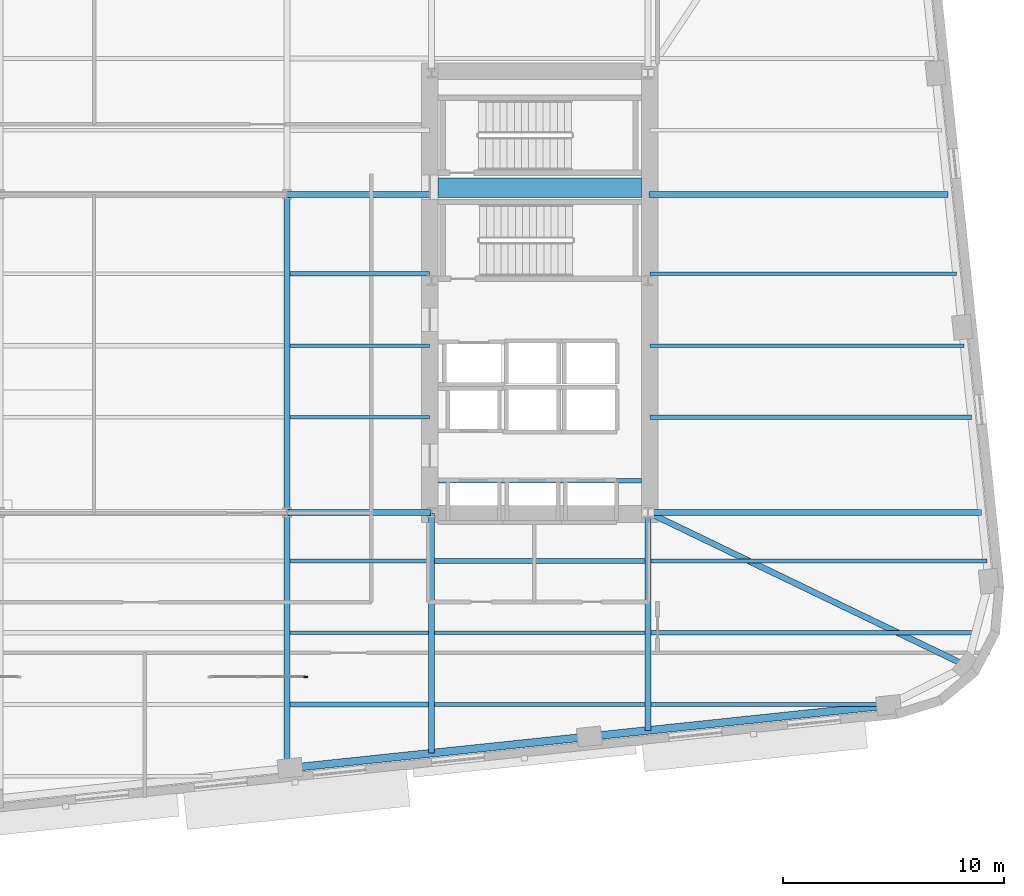
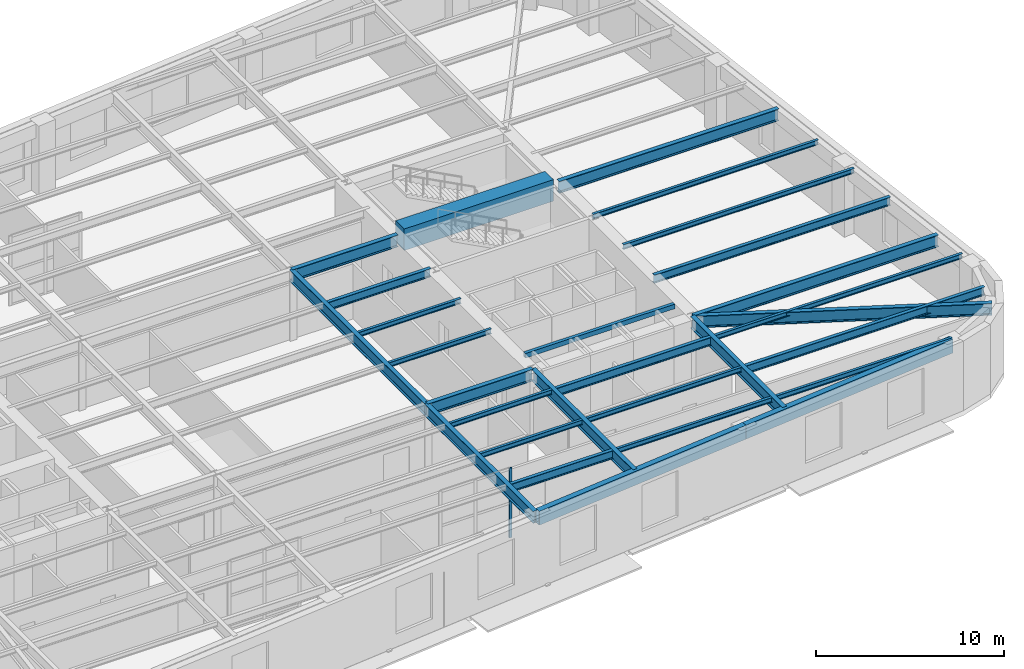
# One storey, part 4 of 14: 28 beams, 1 member, 1 element without a shape of its own.
"""IFC4 building model written with IfcOpenShell, lengths in metres."""

from ifc_helpers import new_model, si_unit, direction, frame, origin, origin_2d, place, context, subcontext, project, spatial, rectangle, hollow_rectangle, i_section, extrude, material, material_profile, profile_set, type_object, element, aggregate, save


model = new_model("IFC4")

# Units and contexts
model_context = context("Model", 3, precision=1e-05, world=origin(), true_north=direction((0.0, 1.0)))
body_context = subcontext(model_context, "Body", "Model", "MODEL_VIEW")
ifc_project = project(units=[si_unit("LENGTHUNIT", "METRE"), si_unit("AREAUNIT", "SQUARE_METRE"), si_unit("VOLUMEUNIT", "CUBIC_METRE"), si_unit("PLANEANGLEUNIT", "RADIAN"), si_unit("MASSUNIT", "GRAM", prefix="KILO")], contexts=[model_context])

# Site, building, storey
site_placement = place(None, origin())
site = spatial("IfcSite", under=ifc_project, at=site_placement, CompositionType="ELEMENT")
building_placement = place(site_placement, origin())
building = spatial("IfcBuilding", under=site, at=building_placement, Name="Kolvaren Arena Tower", CompositionType="ELEMENT")
storey_placement = place(building_placement, frame((0.0, 0.0, 125.949951171875)))
storey = spatial("IfcBuildingStorey", under=building, at=storey_placement, Name="L29", CompositionType="ELEMENT", Elevation=125.949951171875)

# Beams
ifc_material_1 = material(Name="Steel CSA G40.21 350W", Category="steel")
ifc_material_profile_1 = material_profile(ifc_material_1, i_section(OverallWidth=0.2119140625, OverallDepth=0.54296875, WebThickness=0.01318359375, FlangeThickness=0.0244140625, FilletRadius=0.013916015625, at=origin_2d()), Name="W530x150")
ifc_profile_set_1 = profile_set([ifc_material_profile_1], Name="Steel CSA G40.21 350W")
beam_type_1 = type_object("IfcBeamType", Name="BEAM-F1", PredefinedType="BEAM", material=ifc_profile_set_1)
beam_1_placement = place(storey_placement, frame((44.135009765625, 10.75, 4.258544921875), z_axis=(1.0, 0.0, 0.0), x_axis=(0.0, 1.0, 0.0)))
element("IfcBeam", 1, at=beam_1_placement, inside=storey, type_object=beam_type_1, Name="Composite Floor Beam (L29)", PredefinedType="BEAM", context=body_context, shape_type="SweptSolid", body=[
    extrude(i_section(OverallWidth=0.2119140625, OverallDepth=0.54296875, WebThickness=0.01318359375, FlangeThickness=0.0244140625, FilletRadius=0.013916015625, at=origin_2d()), origin(), (0.0, 0.0, 1.0), 6.280029296875),
])
beam_2_placement = place(storey_placement, frame((60.485107421875, 14.0, 4.258544921875), z_axis=(1.0, 0.0, 0.0), x_axis=(0.0, 1.0, 0.0)))
element("IfcBeam", 2, at=beam_2_placement, inside=storey, type_object=beam_type_1, Name="Composite Floor Beam (L29)", PredefinedType="BEAM", context=body_context, shape_type="SweptSolid", body=[
    extrude(i_section(OverallWidth=0.2119140625, OverallDepth=0.54296875, WebThickness=0.01318359375, FlangeThickness=0.0244140625, FilletRadius=0.013916015625, at=origin_2d()), origin(), (0.0, 0.0, 1.0), 14.69677734375),
])
beam_3_placement = place(storey_placement, frame((50.68505859375, 17.25, 4.258544921875), z_axis=(1.0, 0.0, 0.0), x_axis=(0.0, 1.0, 0.0)))
element("IfcBeam", 3, at=beam_3_placement, inside=storey, type_object=beam_type_1, Name="Composite Floor Beam (L29)", PredefinedType="BEAM", context=body_context, shape_type="SweptSolid", body=[
    extrude(i_section(OverallWidth=0.2119140625, OverallDepth=0.54296875, WebThickness=0.01318359375, FlangeThickness=0.0244140625, FilletRadius=0.013916015625, at=origin_2d()), origin(), (0.0, 0.0, 1.0), 9.530029296875),
])
beam_4_placement = place(storey_placement, frame((60.445068359375, 23.75, 4.258544921875), z_axis=(1.0, 0.0, 0.0), x_axis=(0.0, 1.0, 0.0)))
element("IfcBeam", 4, at=beam_4_placement, inside=storey, type_object=beam_type_1, Name="Composite Floor Beam (L29)", PredefinedType="BEAM", context=body_context, shape_type="SweptSolid", body=[
    extrude(i_section(OverallWidth=0.2119140625, OverallDepth=0.54296875, WebThickness=0.01318359375, FlangeThickness=0.0244140625, FilletRadius=0.013916015625, at=origin_2d()), origin(), (0.0, 0.0, 1.0), 14.56103515625),
])
beam_5_placement = place(storey_placement, frame((44.135009765625, 30.25, 4.258544921875), z_axis=(1.0, 0.0, 0.0), x_axis=(0.0, 1.0, 0.0)))
element("IfcBeam", 5, at=beam_5_placement, inside=storey, type_object=beam_type_1, Name="Composite Floor Beam (L29)", PredefinedType="BEAM", context=body_context, shape_type="SweptSolid", body=[
    extrude(i_section(OverallWidth=0.2119140625, OverallDepth=0.54296875, WebThickness=0.01318359375, FlangeThickness=0.0244140625, FilletRadius=0.013916015625, at=origin_2d()), origin(), (0.0, 0.0, 1.0), 6.320068359375),
])
ifc_material_2 = material(Name="Concrete 75 MPa", Category="concrete")
ifc_material_profile_2 = material_profile(ifc_material_2, rectangle(XDim=0.89990234375, YDim=1.39990234375, at=origin_2d()), Name="RC-900x1400")
ifc_profile_set_2 = profile_set([ifc_material_profile_2], Name="Concrete 75 MPa")
beam_type_2 = type_object("IfcBeamType", Name="CB-CORE-1", PredefinedType="BEAM", material=ifc_profile_set_2)
beam_6_placement = place(storey_placement, frame((50.85009765625, 34.14990234375, 4.10009765625), z_axis=(1.0, 0.0, 0.0), x_axis=(0.0, 1.0, 0.0)))
element("IfcBeam", 6, at=beam_6_placement, inside=storey, type_object=beam_type_2, Name="East Core Coupling Beam (L29)", PredefinedType="BEAM", context=body_context, shape_type="SweptSolid", body=[
    extrude(rectangle(XDim=0.89990234375, YDim=1.39990234375, at=origin_2d()), origin(), (0.0, 0.0, 1.0), 9.199951171875),
])

# Curtain wall, member
ifc_material_3 = material(Name="Anodised aluminium unitised curtain wall", Category="aluminium")
curtain_wall_type = type_object("IfcCurtainWallType", Name="CW-SYS-03", PredefinedType="USERDEFINED", material=ifc_material_3)
curtain_wall_placement = place(storey_placement, origin())
curtain_wall = element("IfcCurtainWall", 7, at=curtain_wall_placement, inside=storey, type_object=curtain_wall_type, Name="Sky Lobby Feature Curtain Wall (L29)", ObjectType="UNITISED CURTAIN WALL", PredefinedType="USERDEFINED")
ifc_material_4 = material(Name="Anodised aluminium 6063-T6", Category="aluminium")
ifc_material_profile_3 = material_profile(ifc_material_4, rectangle(XDim=0.080078125, YDim=0.179931640625, at=origin_2d()), Name="ALU-80x180")
ifc_profile_set_3 = profile_set([ifc_material_profile_3], Name="Anodised aluminium 6063-T6")
member_type = type_object("IfcMemberType", Name="CWM-STD", PredefinedType="MULLION", material=ifc_profile_set_3)
member_placement = place(storey_placement, frame((44.860107421875, 12.0, 0.0), z_axis=(0.0, 0.0, 1.0), x_axis=(0.0, 1.0, 0.0)))
member = element("IfcMember", 8, at=member_placement, type_object=member_type, Name="CW3 mullion 3", PredefinedType="MULLION", context=body_context, shape_type="SweptSolid", body=[
    extrude(rectangle(XDim=0.080078125, YDim=0.179931640625, at=origin_2d()), origin(), (0.0, 0.0, 1.0), 4.530029296875),
])
aggregate(curtain_wall, [member])

# Beams
ifc_material_profile_4 = material_profile(ifc_material_1, i_section(OverallWidth=0.27001953125, OverallDepth=0.77294921875, WebThickness=0.019287109375, FlangeThickness=0.033447265625, FilletRadius=0.01806640625, at=origin_2d()), Name="W760x257")
ifc_profile_set_4 = profile_set([ifc_material_profile_4], Name="Steel CSA G40.21 350W")
beam_type_3 = type_object("IfcBeamType", Name="GIRD-T1", PredefinedType="BEAM", material=ifc_profile_set_4)
beam_7_placement = place(storey_placement, frame((74.790283203125, 12.49267578125, 4.1435546875), z_axis=(-0.900889626424, 0.43404824732, 0.0), x_axis=(-0.43404824732, -0.900889626424, 0.0)))
element("IfcBeam", 9, at=beam_7_placement, inside=storey, type_object=beam_type_3, Name="Corner Diagonal Tie Girder (L29)", PredefinedType="BEAM", context=body_context, shape_type="SweptSolid", body=[
    extrude(i_section(OverallWidth=0.27001953125, OverallDepth=0.77294921875, WebThickness=0.019287109375, FlangeThickness=0.033447265625, FilletRadius=0.01806640625, at=origin_2d()), origin(), (0.0, 0.0, 1.0), 16.02880859375),
])
beam_8_placement = place(storey_placement, frame((44.0, 19.449951171875, 4.1435546875), z_axis=(1.0, 0.0, 0.0), x_axis=(0.0, 1.0, 0.0)))
element("IfcBeam", 10, at=beam_8_placement, inside=storey, type_object=beam_type_3, Name="Primary Floor Girder (L29)", PredefinedType="BEAM", context=body_context, shape_type="SweptSolid", body=[
    extrude(i_section(OverallWidth=0.27001953125, OverallDepth=0.77294921875, WebThickness=0.019287109375, FlangeThickness=0.033447265625, FilletRadius=0.01806640625, at=origin_2d()), origin(), (0.0, 0.0, 1.0), 6.4951171875),
])
beam_9_placement = place(storey_placement, frame((60.405029296875, 19.449951171875, 4.1435546875), z_axis=(1.0, 0.0, 0.0), x_axis=(0.0, 1.0, 0.0)))
element("IfcBeam", 11, at=beam_9_placement, inside=storey, type_object=beam_type_3, Name="Primary Floor Girder (L29)", PredefinedType="BEAM", context=body_context, shape_type="SweptSolid", body=[
    extrude(i_section(OverallWidth=0.27001953125, OverallDepth=0.77294921875, WebThickness=0.019287109375, FlangeThickness=0.033447265625, FilletRadius=0.01806640625, at=origin_2d()), origin(), (0.0, 0.0, 1.0), 15.052978515625),
])
beam_10_placement = place(storey_placement, frame((44.0, 33.85009765625, 4.1435546875), z_axis=(1.0, 0.0, 0.0), x_axis=(0.0, 1.0, 0.0)))
element("IfcBeam", 12, at=beam_10_placement, inside=storey, type_object=beam_type_3, Name="Primary Floor Girder (L29)", PredefinedType="BEAM", context=body_context, shape_type="SweptSolid", body=[
    extrude(i_section(OverallWidth=0.27001953125, OverallDepth=0.77294921875, WebThickness=0.019287109375, FlangeThickness=0.033447265625, FilletRadius=0.01806640625, at=origin_2d()), origin(), (0.0, 0.0, 1.0), 6.4951171875),
])
beam_11_placement = place(storey_placement, frame((60.405029296875, 33.85009765625, 4.1435546875), z_axis=(1.0, 0.0, 0.0), x_axis=(0.0, 1.0, 0.0)))
element("IfcBeam", 13, at=beam_11_placement, inside=storey, type_object=beam_type_3, Name="Primary Floor Girder (L29)", PredefinedType="BEAM", context=body_context, shape_type="SweptSolid", body=[
    extrude(i_section(OverallWidth=0.27001953125, OverallDepth=0.77294921875, WebThickness=0.019287109375, FlangeThickness=0.033447265625, FilletRadius=0.01806640625, at=origin_2d()), origin(), (0.0, 0.0, 1.0), 13.53955078125),
])
beam_12_placement = place(storey_placement, frame((44.0, 7.857666015625, 4.1435546875), z_axis=(0.0, 1.0, 0.0), x_axis=(-1.0, 0.0, 0.0)))
element("IfcBeam", 14, at=beam_12_placement, inside=storey, type_object=beam_type_3, Name="Primary Floor Girder (L29)", PredefinedType="BEAM", context=body_context, shape_type="SweptSolid", body=[
    extrude(i_section(OverallWidth=0.27001953125, OverallDepth=0.77294921875, WebThickness=0.019287109375, FlangeThickness=0.033447265625, FilletRadius=0.01806640625, at=origin_2d()), origin(), (0.0, 0.0, 1.0), 11.59228515625),
])
beam_13_placement = place(storey_placement, frame((44.0, 19.449951171875, 4.1435546875), z_axis=(0.0, 1.0, 0.0), x_axis=(-1.0, 0.0, 0.0)))
element("IfcBeam", 15, at=beam_13_placement, inside=storey, type_object=beam_type_3, Name="Primary Floor Girder (L29)", PredefinedType="BEAM", context=body_context, shape_type="SweptSolid", body=[
    extrude(i_section(OverallWidth=0.27001953125, OverallDepth=0.77294921875, WebThickness=0.019287109375, FlangeThickness=0.033447265625, FilletRadius=0.01806640625, at=origin_2d()), origin(), (0.0, 0.0, 1.0), 14.400146484375),
])
beam_14_placement = place(storey_placement, frame((50.550048828125, 8.5458984375, 4.1435546875), z_axis=(0.0, 1.0, 0.0), x_axis=(-1.0, 0.0, 0.0)))
element("IfcBeam", 16, at=beam_14_placement, inside=storey, type_object=beam_type_3, Name="Primary Floor Girder (L29)", PredefinedType="BEAM", context=body_context, shape_type="SweptSolid", body=[
    extrude(i_section(OverallWidth=0.27001953125, OverallDepth=0.77294921875, WebThickness=0.019287109375, FlangeThickness=0.033447265625, FilletRadius=0.01806640625, at=origin_2d()), origin(), (0.0, 0.0, 1.0), 10.84912109375),
])
beam_15_placement = place(storey_placement, frame((60.35009765625, 9.575927734375, 4.1435546875), z_axis=(0.0, 1.0, 0.0), x_axis=(-1.0, 0.0, 0.0)))
element("IfcBeam", 17, at=beam_15_placement, inside=storey, type_object=beam_type_3, Name="Primary Floor Girder (L29)", PredefinedType="BEAM", context=body_context, shape_type="SweptSolid", body=[
    extrude(i_section(OverallWidth=0.27001953125, OverallDepth=0.77294921875, WebThickness=0.019287109375, FlangeThickness=0.033447265625, FilletRadius=0.01806640625, at=origin_2d()), origin(), (0.0, 0.0, 1.0), 9.819091796875),
])
ifc_material_profile_5 = material_profile(ifc_material_1, i_section(OverallWidth=0.1669921875, OverallDepth=0.31689453125, WebThickness=0.007568359375, FlangeThickness=0.01318359375, FilletRadius=0.010009765625, at=origin_2d()), Name="W310x52")
ifc_profile_set_5 = profile_set([ifc_material_profile_5], Name="Steel CSA G40.21 350W")
beam_type_4 = type_object("IfcBeamType", Name="JOIST-02", PredefinedType="JOIST", material=ifc_profile_set_5)
beam_16_placement = place(storey_placement, frame((50.68505859375, 10.75, 4.37158203125), z_axis=(1.0, 0.0, 0.0), x_axis=(0.0, 1.0, 0.0)))
element("IfcBeam", 18, at=beam_16_placement, inside=storey, type_object=beam_type_4, Name="Composite Floor Joist (L29)", PredefinedType="JOIST", context=body_context, shape_type="SweptSolid", body=[
    extrude(i_section(OverallWidth=0.1669921875, OverallDepth=0.31689453125, WebThickness=0.007568359375, FlangeThickness=0.01318359375, FilletRadius=0.010009765625, at=origin_2d()), origin(), (0.0, 0.0, 1.0), 9.530029296875),
])
beam_17_placement = place(storey_placement, frame((60.485107421875, 10.75, 4.37158203125), z_axis=(1.0, 0.0, 0.0), x_axis=(0.0, 1.0, 0.0)))
element("IfcBeam", 19, at=beam_17_placement, inside=storey, type_object=beam_type_4, Name="Composite Floor Joist (L29)", PredefinedType="JOIST", context=body_context, shape_type="SweptSolid", body=[
    extrude(i_section(OverallWidth=0.1669921875, OverallDepth=0.31689453125, WebThickness=0.007568359375, FlangeThickness=0.01318359375, FilletRadius=0.010009765625, at=origin_2d()), origin(), (0.0, 0.0, 1.0), 10.819580078125),
])
beam_18_placement = place(storey_placement, frame((44.135009765625, 14.0, 4.37158203125), z_axis=(1.0, 0.0, 0.0), x_axis=(0.0, 1.0, 0.0)))
element("IfcBeam", 20, at=beam_18_placement, inside=storey, type_object=beam_type_4, Name="Composite Floor Joist (L29)", PredefinedType="JOIST", context=body_context, shape_type="SweptSolid", body=[
    extrude(i_section(OverallWidth=0.1669921875, OverallDepth=0.31689453125, WebThickness=0.007568359375, FlangeThickness=0.01318359375, FilletRadius=0.010009765625, at=origin_2d()), origin(), (0.0, 0.0, 1.0), 6.280029296875),
])
beam_19_placement = place(storey_placement, frame((50.68505859375, 14.0, 4.37158203125), z_axis=(1.0, 0.0, 0.0), x_axis=(0.0, 1.0, 0.0)))
element("IfcBeam", 21, at=beam_19_placement, inside=storey, type_object=beam_type_4, Name="Composite Floor Joist (L29)", PredefinedType="JOIST", context=body_context, shape_type="SweptSolid", body=[
    extrude(i_section(OverallWidth=0.1669921875, OverallDepth=0.31689453125, WebThickness=0.007568359375, FlangeThickness=0.01318359375, FilletRadius=0.010009765625, at=origin_2d()), origin(), (0.0, 0.0, 1.0), 9.530029296875),
])
beam_20_placement = place(storey_placement, frame((44.135009765625, 17.25, 4.37158203125), z_axis=(1.0, 0.0, 0.0), x_axis=(0.0, 1.0, 0.0)))
element("IfcBeam", 22, at=beam_20_placement, inside=storey, type_object=beam_type_4, Name="Composite Floor Joist (L29)", PredefinedType="JOIST", context=body_context, shape_type="SweptSolid", body=[
    extrude(i_section(OverallWidth=0.1669921875, OverallDepth=0.31689453125, WebThickness=0.007568359375, FlangeThickness=0.01318359375, FilletRadius=0.010009765625, at=origin_2d()), origin(), (0.0, 0.0, 1.0), 6.280029296875),
])
beam_21_placement = place(storey_placement, frame((60.485107421875, 17.25, 4.37158203125), z_axis=(1.0, 0.0, 0.0), x_axis=(0.0, 1.0, 0.0)))
element("IfcBeam", 23, at=beam_21_placement, inside=storey, type_object=beam_type_4, Name="Composite Floor Joist (L29)", PredefinedType="JOIST", context=body_context, shape_type="SweptSolid", body=[
    extrude(i_section(OverallWidth=0.1669921875, OverallDepth=0.31689453125, WebThickness=0.007568359375, FlangeThickness=0.01318359375, FilletRadius=0.010009765625, at=origin_2d()), origin(), (0.0, 0.0, 1.0), 15.2041015625),
])
for number, where, z_axis, x_axis, name in (
    (24, (44.135009765625, 23.75, 4.37158203125), (1.0, 0.0, 0.0), (0.0, 1.0, 0.0), "Composite Floor Joist (L29)"),
    (25, (44.135009765625, 27.0, 4.37158203125), (1.0, 0.0, 0.0), (0.0, 1.0, 0.0), "Composite Floor Joist (L29)"),
):
    element("IfcBeam", number, at=place(storey_placement, frame(where, z_axis=z_axis, x_axis=x_axis)), inside=storey, type_object=beam_type_4, Name=name, PredefinedType="JOIST", context=body_context, shape_type="SweptSolid", body=[
        extrude(i_section(OverallWidth=0.1669921875, OverallDepth=0.31689453125, WebThickness=0.007568359375, FlangeThickness=0.01318359375, FilletRadius=0.010009765625, at=origin_2d()), origin(), (0.0, 0.0, 1.0), 6.320068359375),
    ])
beam_22_placement = place(storey_placement, frame((60.445068359375, 27.0, 4.37158203125), z_axis=(1.0, 0.0, 0.0), x_axis=(0.0, 1.0, 0.0)))
element("IfcBeam", 26, at=beam_22_placement, inside=storey, type_object=beam_type_4, Name="Composite Floor Joist (L29)", PredefinedType="JOIST", context=body_context, shape_type="SweptSolid", body=[
    extrude(i_section(OverallWidth=0.1669921875, OverallDepth=0.31689453125, WebThickness=0.007568359375, FlangeThickness=0.01318359375, FilletRadius=0.010009765625, at=origin_2d()), origin(), (0.0, 0.0, 1.0), 14.219482421875),
])
beam_23_placement = place(storey_placement, frame((60.445068359375, 30.25, 4.37158203125), z_axis=(1.0, 0.0, 0.0), x_axis=(0.0, 1.0, 0.0)))
element("IfcBeam", 27, at=beam_23_placement, inside=storey, type_object=beam_type_4, Name="Composite Floor Joist (L29)", PredefinedType="JOIST", context=body_context, shape_type="SweptSolid", body=[
    extrude(i_section(OverallWidth=0.1669921875, OverallDepth=0.31689453125, WebThickness=0.007568359375, FlangeThickness=0.01318359375, FilletRadius=0.010009765625, at=origin_2d()), origin(), (0.0, 0.0, 1.0), 13.8779296875),
])
ifc_material_profile_6 = material_profile(ifc_material_1, hollow_rectangle(XDim=0.199951171875, YDim=0.300048828125, WallThickness=0.011962890625, at=origin_2d()), Name="HSS 300x200x12")
ifc_profile_set_6 = profile_set([ifc_material_profile_6], Name="Steel CSA G40.21 350W")
beam_type_5 = type_object("IfcBeamType", Name="LINT-01", PredefinedType="LINTEL", material=ifc_profile_set_6)
beam_24_placement = place(storey_placement, frame((50.85009765625, 20.8798828125, 4.380126953125), z_axis=(1.0, 0.0, 0.0), x_axis=(0.0, 1.0, 0.0)))
element("IfcBeam", 28, at=beam_24_placement, inside=storey, type_object=beam_type_5, Name="East Lift Lobby Portal Lintel (L29)", PredefinedType="LINTEL", context=body_context, shape_type="SweptSolid", body=[
    extrude(hollow_rectangle(XDim=0.199951171875, YDim=0.300048828125, WallThickness=0.011962890625, at=origin_2d()), origin(), (0.0, 0.0, 1.0), 9.199951171875),
])
ifc_material_5 = material(Name="Steel CSA G40.21 350WT", Category="steel")
ifc_material_profile_7 = material_profile(ifc_material_5, hollow_rectangle(XDim=0.35009765625, YDim=0.89990234375, WallThickness=0.02001953125, at=origin_2d()), Name="HSS 900x350x20")
ifc_profile_set_7 = profile_set([ifc_material_profile_7], Name="Steel CSA G40.21 350WT")
beam_type_6 = type_object("IfcBeamType", Name="SPAND-01", PredefinedType="SPANDREL", material=ifc_profile_set_7)
for number, where, z_axis, x_axis, name in (
    (29, (44.146728515625, 7.873046875, 4.080078125), (0.994522817887, 0.104519685718, 0.0), (-0.104519685718, 0.994522817887, 0.0), "Perimeter Spandrel Beam (L29)"),
    (30, (57.697021484375, 9.297119140625, 4.080078125), (0.994520955135, 0.104537408603, 0.0), (-0.104537408603, 0.994520955135, 0.0), "Perimeter Spandrel Beam (L29)"),
):
    element("IfcBeam", number, at=place(storey_placement, frame(where, z_axis=z_axis, x_axis=x_axis)), inside=storey, type_object=beam_type_6, Name=name, PredefinedType="SPANDREL", context=body_context, shape_type="SweptSolid", body=[
        extrude(hollow_rectangle(XDim=0.35009765625, YDim=0.89990234375, WallThickness=0.02001953125, at=origin_2d()), origin(), (0.0, 0.0, 1.0), 13.625),
    ])

save(model, "model.ifc")
